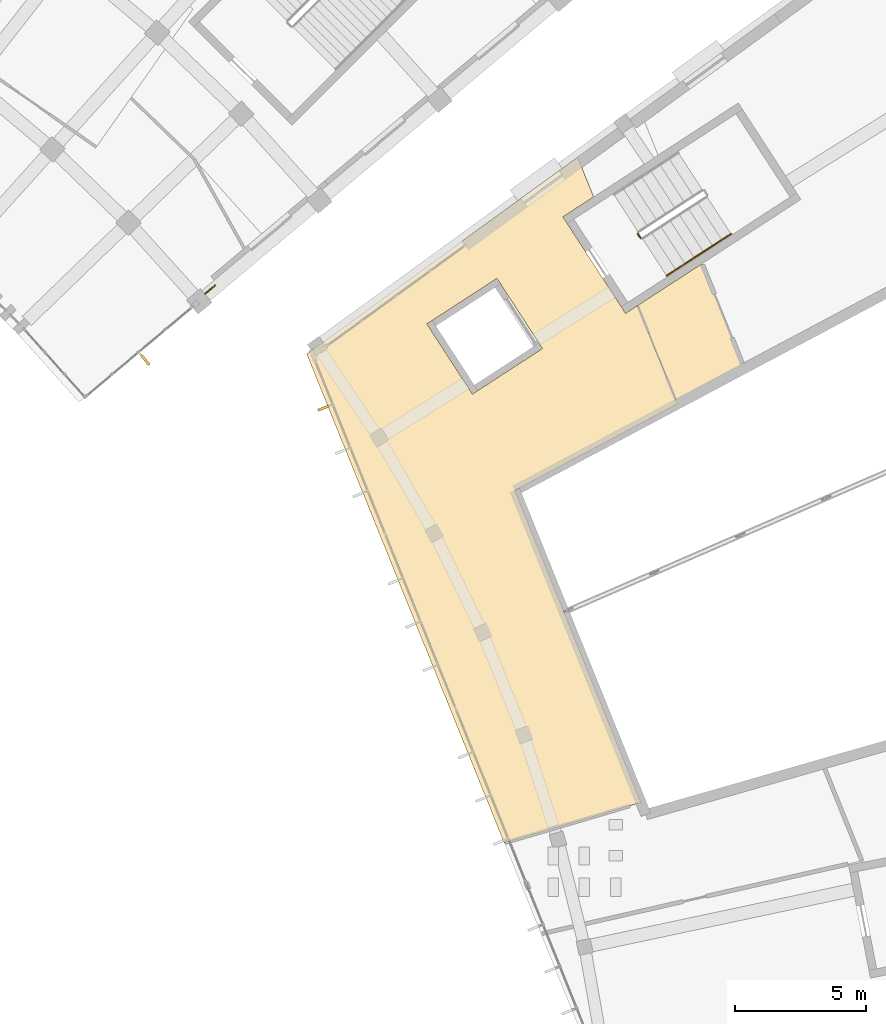
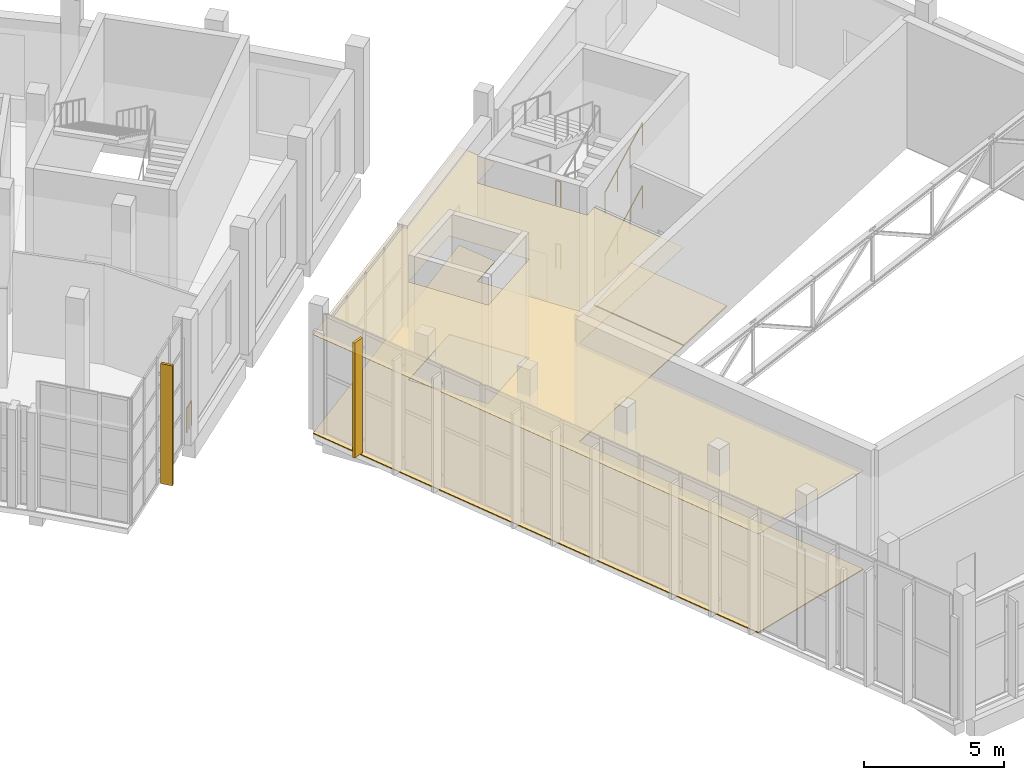
# One storey, part 101 of 112: 5 railings, 3 coverings, 2 shading devices.
"""IFC4 building model written with IfcOpenShell, lengths in metres."""

from ifc_helpers import new_model, si_unit, direction, frame, origin, origin_2d, place, context, subcontext, project, spatial, polyline, rectangle, circle, outline, extrude, material, layer, layer_set, type_object, element, save


model = new_model("IFC4")

# Units and contexts
model_context = context("Model", 3, precision=1e-05, world=origin(), true_north=direction((0.0, 1.0)))
body_context = subcontext(model_context, "Body", "Model", "MODEL_VIEW")
ifc_project = project(units=[si_unit("LENGTHUNIT", "METRE"), si_unit("AREAUNIT", "SQUARE_METRE"), si_unit("VOLUMEUNIT", "CUBIC_METRE"), si_unit("PLANEANGLEUNIT", "RADIAN"), si_unit("MASSUNIT", "GRAM", prefix="KILO")], contexts=[model_context])

# Site, building, storey
site_placement = place(None, origin())
site = spatial("IfcSite", under=ifc_project, at=site_placement, CompositionType="ELEMENT")
building_placement = place(site_placement, origin())
building = spatial("IfcBuilding", under=site, at=building_placement, Name="Lunette Opera House", CompositionType="ELEMENT")
storey_placement = place(building_placement, frame((0.0, 0.0, 6.0)))
storey = spatial("IfcBuildingStorey", under=building, at=storey_placement, Name="L01", CompositionType="ELEMENT", Elevation=6.0)

# Railing
ifc_material_1 = material(Name="Steel S355", Category="steel")
railing_type_1 = type_object("IfcRailingType", Name="DECK GUARD 1100", PredefinedType="GUARDRAIL", material=ifc_material_1)
railing_placement = place(storey_placement, frame((140.659912109375, 37.5791015625, 0.0)))
element("IfcRailing", 1, at=railing_placement, inside=storey, type_object=railing_type_1, Name="Deck guard 006", PredefinedType="GUARDRAIL", context=body_context, shape_type="SweptSolid", body=[
    extrude(circle(Radius=0.02392578125, at=origin_2d()), frame((0.0, 0.0, 1.076171875), z_axis=(0.767567213213, 0.64096846506, 0.0), x_axis=(-0.64096846506, 0.767567213213, 0.0)), (0.0, 0.0, 1.0), 0.244873046875),
    extrude(circle(Radius=0.02392578125, at=origin_2d()), frame((0.18798828125, 0.156982421875, 1.076171875), z_axis=(0.765606918818, 0.643308670747, 0.0), x_axis=(-0.643308670747, 0.765606918818, 0.0)), (0.0, 0.0, 1.0), 0.24560546875),
    extrude(circle(Radius=0.02099609375, at=origin_2d()), origin(), (0.0, 0.0, 1.0), 1.052001953125),
    extrude(circle(Radius=0.02099609375, at=origin_2d()), frame((0.18798828125, 0.156982421875, 0.0)), (0.0, 0.0, 1.0), 1.052001953125),
    extrude(circle(Radius=0.02099609375, at=origin_2d()), frame((0.3759765625, 0.31494140625, 0.0)), (0.0, 0.0, 1.0), 1.052001953125),
])

# Covering
ifc_material_2 = material(Name="Cement screed")
ifc_layer_1 = layer(ifc_material_2, 0.070068359375)
ifc_layer_set_1 = layer_set([ifc_layer_1], Name="Cement screed")
covering_type_1 = type_object("IfcCoveringType", Name="SCREED FLOOR FINISH 70", PredefinedType="FLOORING", material=ifc_layer_set_1)
covering_1_placement = place(storey_placement, origin())
element("IfcCovering", 2, at=covering_1_placement, inside=storey, type_object=covering_type_1, Name="Floor finish Studio Corridor L01 North West", PredefinedType="FLOORING", context=body_context, shape_type="SweptSolid", body=[
    extrude(outline(polyline([(157.202880859375, 37.1220703125), (159.6669921875, 38.721923828125), (161.287109375, 34.714111328125), (158.72607421875, 33.35205078125), (157.202880859375, 37.1220703125)])), origin(), (0.0, 0.0, 1.0), 0.070068359375),
])

# Shading devices
ifc_material_3 = material(Name="Powder-coated aluminium", Category="aluminium")
shading_device_type = type_object("IfcShadingDeviceType", Name="SOLAR FIN 100 X 450", PredefinedType="USERDEFINED", material=ifc_material_3)
shading_device_1_placement = place(storey_placement, frame((138.373046875, 35.027099609375, 0.1142578125), z_axis=(0.0, 0.0, 1.0), x_axis=(0.642827718799, -0.766010785788, 0.0)))
element("IfcShadingDevice", 3, at=shading_device_1_placement, inside=storey, type_object=shading_device_type, Name="Solar fin FC-X2174 2", ObjectType="SOLAR FIN", PredefinedType="USERDEFINED", context=body_context, shape_type="SweptSolid", body=[
    extrude(rectangle(XDim=0.449951171875, YDim=0.10009765625, at=origin_2d()), origin(), (0.0, 0.0, 1.0), 5.235107421875),
])
shading_device_2_placement = place(storey_placement, frame((145.178955078125, 33.195068359375, 0.11474609375), z_axis=(0.0, 0.0, 1.0), x_axis=(-0.927168162269, -0.374645430874, 0.0)))
element("IfcShadingDevice", 4, at=shading_device_2_placement, inside=storey, type_object=shading_device_type, Name="Solar fin SB-X2008 1", ObjectType="SOLAR FIN", PredefinedType="USERDEFINED", context=body_context, shape_type="SweptSolid", body=[
    extrude(rectangle(XDim=0.449951171875, YDim=0.10009765625, at=origin_2d()), origin(), (0.0, 0.0, 1.0), 5.014892578125),
])

# Railings
ifc_material_4 = material(Name="Steel S355", Category="steel")
railing_type_2 = type_object("IfcRailingType", Name="STAIR GUARD 1100", PredefinedType="GUARDRAIL", material=ifc_material_4)
for number, where, name in (
    (5, (157.319091796875, 39.701416015625, 2.75), "L01 ST21 stair guard 4"),
    (6, (157.319091796875, 39.701416015625, 0.0), "L01 ST21 stair guard 8"),
):
    element("IfcRailing", number, at=place(storey_placement, frame(where)), inside=storey, type_object=railing_type_2, Name=name, PredefinedType="GUARDRAIL", context=body_context, shape_type="SweptSolid", body=[
        extrude(circle(Radius=0.02392578125, at=origin_2d()), frame((0.0, 0.0, 1.076171875), z_axis=(-0.544816974725, 0.838554985706, 0.0), x_axis=(-0.838554985706, -0.544816974725, 0.0)), (0.0, 0.0, 1.0), 0.2001953125),
        extrude(circle(Radius=0.02099609375, at=origin_2d()), origin(), (0.0, 0.0, 1.0), 1.052001953125),
        extrude(circle(Radius=0.02099609375, at=origin_2d()), frame((-0.109130859375, 0.16796875, 0.0)), (0.0, 0.0, 1.0), 1.052001953125),
    ])
ifc_material_5 = material(Name="Steel S355", Category="steel")
railing_type_3 = type_object("IfcRailingType", Name="STAIR HANDRAIL 1000", PredefinedType="HANDRAIL", material=ifc_material_5)
for number, where, name in (
    (7, (158.314208984375, 38.260986328125, 0.171875), "L01 ST21 stair handrail 1"),
    (8, (158.314208984375, 38.260986328125, 2.921875), "L01 ST21 stair handrail 3"),
):
    element("IfcRailing", number, at=place(storey_placement, frame(where)), inside=storey, type_object=railing_type_3, Name=name, PredefinedType="HANDRAIL", context=body_context, shape_type="SweptSolid", body=[
        extrude(circle(Radius=0.02392578125, at=origin_2d()), frame((0.0, 0.0, 0.97607421875), z_axis=(0.776167955347, 0.504097991794, 0.378745983162), x_axis=(-0.544675991122, 0.838646567211, 0.0)), (0.0, 0.0, 1.0), 3.176513671875),
        extrude(circle(Radius=0.02099609375, at=origin_2d()), origin(), (0.0, 0.0, 1.0), 0.951904296875),
        extrude(circle(Radius=0.02099609375, at=origin_2d()), frame((0.82177734375, 0.53369140625, 0.401123046875)), (0.0, 0.0, 1.0), 0.951904296875),
        extrude(circle(Radius=0.02099609375, at=origin_2d()), frame((1.643798828125, 1.067626953125, 0.802001953125)), (0.0, 0.0, 1.0), 0.951904296875),
        extrude(circle(Radius=0.02099609375, at=origin_2d()), frame((2.465576171875, 1.601318359375, 1.203125)), (0.0, 0.0, 1.0), 0.951904296875),
    ])

# Coverings
ifc_material_6 = material(Name="Mineral fibre board")
ifc_layer_2 = layer(ifc_material_6, 0.014892578125)
ifc_layer_set_2 = layer_set([ifc_layer_2], Name="Mineral fibre board")
covering_type_2 = type_object("IfcCoveringType", Name="SUSPENDED ACOUSTIC CEILING 15", PredefinedType="CEILING", material=ifc_layer_set_2)
covering_2_placement = place(storey_placement, frame((0.0, 0.0, 4.31494140625)))
element("IfcCovering", 9, at=covering_2_placement, inside=storey, type_object=covering_type_2, Name="Ceiling Studio Dressing Rooms L01", PredefinedType="CEILING", context=body_context, shape_type="SweptSolid", body=[
    extrude(outline(polyline([(155.52392578125, 41.278076171875), (154.346923828125, 40.513916015625), (156.743896484375, 36.823974609375), (157.202880859375, 37.1220703125), (158.72607421875, 33.35205078125), (152.509033203125, 30.0458984375), (157.3330078125, 18.10498046875), (152.09912109375, 16.56005859375), (144.541015625, 35.26708984375), (154.908935546875, 42.800048828125), (155.52392578125, 41.278076171875)]), holes=[polyline([(153.56591796875, 35.47607421875), (151.822998046875, 38.158935546875), (149.138916015625, 36.4169921875), (150.882080078125, 33.73291015625), (153.56591796875, 35.47607421875)])]), origin(), (0.0, 0.0, 1.0), 0.01513671875),
])
ifc_material_7 = material(Name="Timber", Category="wood")
ifc_layer_3 = layer(ifc_material_7, 0.0400390625)
ifc_layer_set_3 = layer_set([ifc_layer_3], Name="Timber")
covering_type_3 = type_object("IfcCoveringType", Name="TIMBER FLOOR FINISH 40", PredefinedType="FLOORING", material=ifc_layer_set_3)
covering_3_placement = place(storey_placement, origin())
element("IfcCovering", 10, at=covering_3_placement, inside=storey, type_object=covering_type_3, Name="Floor finish Studio Dressing Rooms L01", PredefinedType="FLOORING", context=body_context, shape_type="SweptSolid", body=[
    extrude(outline(polyline([(155.52392578125, 41.278076171875), (154.346923828125, 40.513916015625), (156.743896484375, 36.823974609375), (157.202880859375, 37.1220703125), (158.72607421875, 33.35205078125), (152.509033203125, 30.0458984375), (157.3330078125, 18.10498046875), (152.09912109375, 16.56005859375), (144.541015625, 35.26708984375), (154.908935546875, 42.800048828125), (155.52392578125, 41.278076171875)]), holes=[polyline([(153.56591796875, 35.47607421875), (151.822998046875, 38.158935546875), (149.138916015625, 36.4169921875), (150.882080078125, 33.73291015625), (153.56591796875, 35.47607421875)])]), origin(), (0.0, 0.0, 1.0), 0.0400390625),
])

save(model, "model.ifc")
